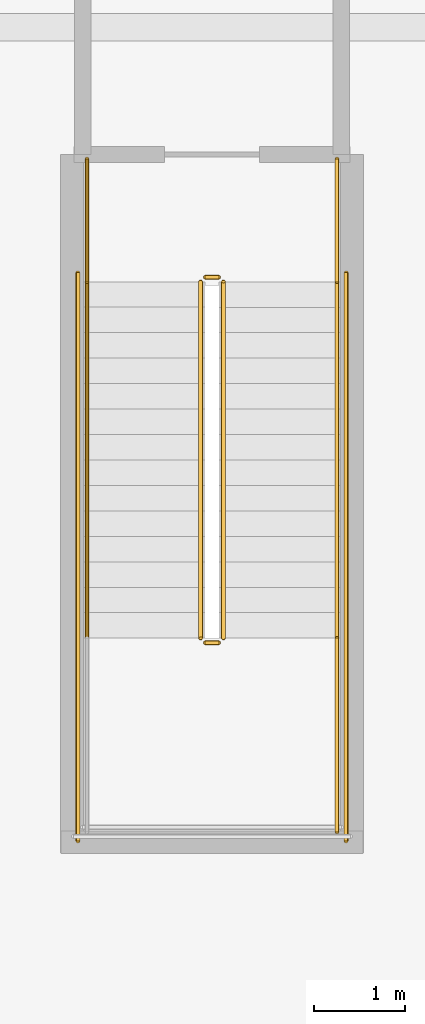
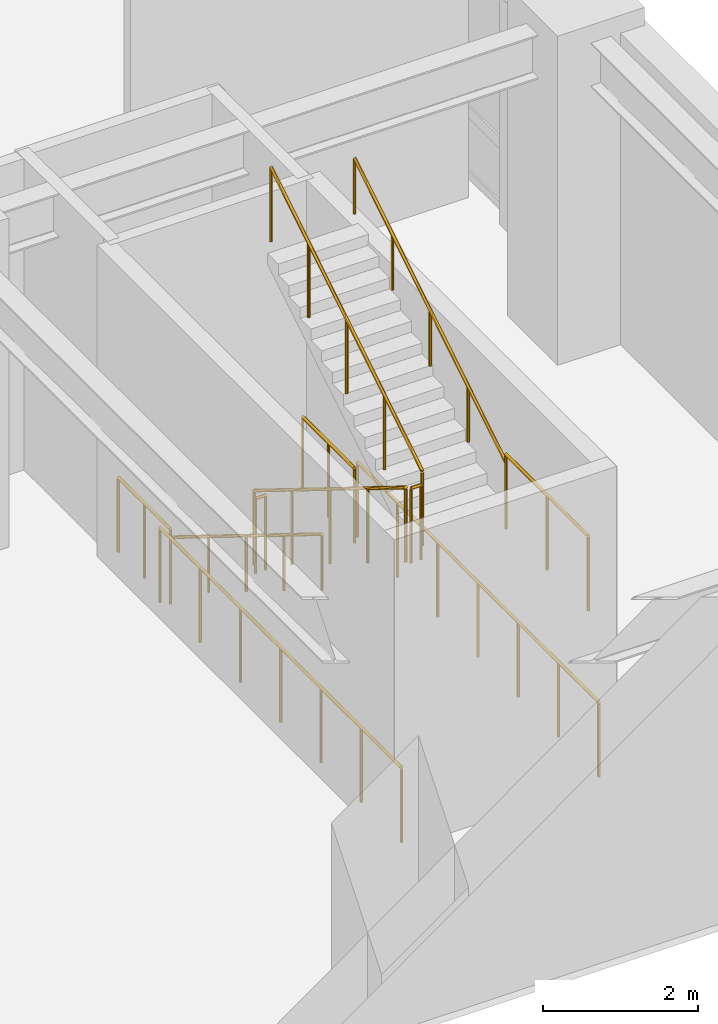
# One storey, part 27 of 27: 11 railings.
"""IFC4 building model written with IfcOpenShell, lengths in metres."""

from ifc_helpers import new_model, si_unit, direction, frame, origin, origin_2d, place, context, subcontext, project, spatial, circle, extrude, material, type_object, element, save


model = new_model("IFC4")

# Units and contexts
model_context = context("Model", 3, precision=1e-05, world=origin(), true_north=direction((0.0, 1.0)))
body_context = subcontext(model_context, "Body", "Model", "MODEL_VIEW")
ifc_project = project(units=[si_unit("LENGTHUNIT", "METRE"), si_unit("AREAUNIT", "SQUARE_METRE"), si_unit("VOLUMEUNIT", "CUBIC_METRE"), si_unit("PLANEANGLEUNIT", "RADIAN"), si_unit("MASSUNIT", "GRAM", prefix="KILO")], contexts=[model_context])

# Site, building, storey
site_placement = place(None, origin())
site = spatial("IfcSite", under=ifc_project, at=site_placement, CompositionType="ELEMENT")
building_placement = place(site_placement, origin())
building = spatial("IfcBuilding", under=site, at=building_placement, Name="Voryun Gate Residences", CompositionType="ELEMENT")
storey_placement = place(building_placement, frame((0.0, 0.0, 5.199951171875)))
storey = spatial("IfcBuildingStorey", under=building, at=storey_placement, Name="L01", CompositionType="ELEMENT", Elevation=5.199951171875)

# Railings
ifc_material_1 = material(Name="Painted steel", Category="steel")
railing_type_1 = type_object("IfcRailingType", Name="RAIL_STAIR_GUARD_1200", PredefinedType="GUARDRAIL", material=ifc_material_1)
railing_1_placement = place(storey_placement, frame((28.675048828125, -14.199951171875, 0.17333984375)))
element("IfcRailing", 1, at=railing_1_placement, inside=storey, type_object=railing_type_1, Name="L01 ST-P2 stair guard 1", PredefinedType="GUARDRAIL", context=body_context, shape_type="SweptSolid", body=[
    extrude(circle(Radius=0.02392578125, at=origin_2d()), frame((0.0, 0.0, 1.17578125), z_axis=(0.0, -0.850266275192, 0.526352791643), x_axis=(1.0, 0.0, 0.0)), (0.0, 0.0, 1.0), 4.610595703125),
    extrude(circle(Radius=0.02099609375, at=origin_2d()), origin(), (0.0, 0.0, 1.0), 1.15185546875),
    extrude(circle(Radius=0.02099609375, at=origin_2d()), frame((0.0, -0.97998046875, 0.606689453125)), (0.0, 0.0, 1.0), 1.15185546875),
    extrude(circle(Radius=0.02099609375, at=origin_2d()), frame((0.0, -1.9599609375, 1.21337890625)), (0.0, 0.0, 1.0), 1.15185546875),
    extrude(circle(Radius=0.02099609375, at=origin_2d()), frame((0.0, -2.940185546875, 1.820068359375)), (0.0, 0.0, 1.0), 1.15185546875),
    extrude(circle(Radius=0.02099609375, at=origin_2d()), frame((0.0, -3.920166015625, 2.4267578125)), (0.0, 0.0, 1.0), 1.15185546875),
])
railing_2_placement = place(storey_placement, frame((28.72509765625, -18.169921875, 2.60009765625)))
element("IfcRailing", 2, at=railing_2_placement, inside=storey, type_object=railing_type_1, Name="L01 ST-P2 stair guard 2", PredefinedType="GUARDRAIL", context=body_context, shape_type="SweptSolid", body=[
    extrude(circle(Radius=0.02392578125, at=origin_2d()), frame((0.0, 0.0, 1.17578125), z_axis=(1.0, 0.0, 0.0), x_axis=(0.0, 1.0, 0.0)), (0.0, 0.0, 1.0), 0.14990234375),
    extrude(circle(Radius=0.02099609375, at=origin_2d()), origin(), (0.0, 0.0, 1.0), 1.15185546875),
    extrude(circle(Radius=0.02099609375, at=origin_2d()), frame((0.14990234375, 0.0, 0.0)), (0.0, 0.0, 1.0), 1.15185546875),
])
railing_3_placement = place(storey_placement, frame((30.175048828125, -18.1201171875, 2.60009765625)))
element("IfcRailing", 3, at=railing_3_placement, inside=storey, type_object=railing_type_1, Name="L01 ST-P2 stair guard 4", PredefinedType="GUARDRAIL", context=body_context, shape_type="SweptSolid", body=[
    extrude(circle(Radius=0.02392578125, at=origin_2d()), frame((0.0, 0.0, 1.17578125), z_axis=(0.0, -1.0, 0.0), x_axis=(1.0, 0.0, 0.0)), (0.0, 0.0, 1.0), 2.1298828125),
    extrude(circle(Radius=0.02099609375, at=origin_2d()), origin(), (0.0, 0.0, 1.0), 1.15185546875),
    extrude(circle(Radius=0.02099609375, at=origin_2d()), frame((0.0, -1.06494140625, 0.0)), (0.0, 0.0, 1.0), 1.15185546875),
    extrude(circle(Radius=0.02099609375, at=origin_2d()), frame((0.0, -2.1298828125, 0.0)), (0.0, 0.0, 1.0), 1.15185546875),
])
railing_4_placement = place(storey_placement, frame((28.925048828125, -18.1201171875, 2.7734375)))
element("IfcRailing", 4, at=railing_4_placement, inside=storey, type_object=railing_type_1, Name="L01 ST-P2 stair guard 6", PredefinedType="GUARDRAIL", context=body_context, shape_type="SweptSolid", body=[
    extrude(circle(Radius=0.02392578125, at=origin_2d()), frame((0.0, 0.0, 1.17578125), z_axis=(0.0, 0.850289973577, 0.526314507528), x_axis=(-1.0, 0.0, 0.0)), (0.0, 0.0, 1.0), 4.6103515625),
    extrude(circle(Radius=0.02099609375, at=origin_2d()), origin(), (0.0, 0.0, 1.0), 1.15185546875),
    extrude(circle(Radius=0.02099609375, at=origin_2d()), frame((0.0, 0.97998046875, 0.606689453125)), (0.0, 0.0, 1.0), 1.15185546875),
    extrude(circle(Radius=0.02099609375, at=origin_2d()), frame((0.0, 1.9599609375, 1.21337890625)), (0.0, 0.0, 1.0), 1.15185546875),
    extrude(circle(Radius=0.02099609375, at=origin_2d()), frame((0.0, 2.940185546875, 1.81982421875)), (0.0, 0.0, 1.0), 1.15185546875),
    extrude(circle(Radius=0.02099609375, at=origin_2d()), frame((0.0, 3.920166015625, 2.426513671875)), (0.0, 0.0, 1.0), 1.15185546875),
])
railing_5_placement = place(storey_placement, frame((28.72509765625, -14.14990234375, 0.0)))
element("IfcRailing", 5, at=railing_5_placement, inside=storey, type_object=railing_type_1, Name="L01 ST-P2 stair guard 7", PredefinedType="GUARDRAIL", context=body_context, shape_type="SweptSolid", body=[
    extrude(circle(Radius=0.02392578125, at=origin_2d()), frame((0.0, 0.0, 1.17578125), z_axis=(1.0, 0.0, 0.0), x_axis=(0.0, 1.0, 0.0)), (0.0, 0.0, 1.0), 0.14990234375),
    extrude(circle(Radius=0.02099609375, at=origin_2d()), origin(), (0.0, 0.0, 1.0), 1.15185546875),
    extrude(circle(Radius=0.02099609375, at=origin_2d()), frame((0.14990234375, 0.0, 0.0)), (0.0, 0.0, 1.0), 1.15185546875),
])
for number, where, name in (
    (6, (27.425048828125, -12.85009765625, 0.0), "L01 ST-P2 stair guard 8"),
    (7, (30.175048828125, -12.85009765625, 0.0), "L01 ST-P2 stair guard 9"),
):
    element("IfcRailing", number, at=place(storey_placement, frame(where)), inside=storey, type_object=railing_type_1, Name=name, PredefinedType="GUARDRAIL", context=body_context, shape_type="SweptSolid", body=[
        extrude(circle(Radius=0.02392578125, at=origin_2d()), frame((0.0, 0.0, 1.17578125), z_axis=(0.0, -1.0, 0.0), x_axis=(1.0, 0.0, 0.0)), (0.0, 0.0, 1.0), 1.349853515625),
        extrude(circle(Radius=0.02099609375, at=origin_2d()), origin(), (0.0, 0.0, 1.0), 1.15185546875),
        extrude(circle(Radius=0.02099609375, at=origin_2d()), frame((0.0, -0.6748046875, 0.0)), (0.0, 0.0, 1.0), 1.15185546875),
        extrude(circle(Radius=0.02099609375, at=origin_2d()), frame((0.0, -1.349853515625, 0.0)), (0.0, 0.0, 1.0), 1.15185546875),
    ])
for number, where, name in (
    (8, (27.324951171875, -14.10009765625, 0.0), "L01 ST-P2 stair guard 10"),
    (9, (30.27490234375, -14.10009765625, 0.0), "L01 ST-P2 stair guard 11"),
):
    element("IfcRailing", number, at=place(storey_placement, frame(where)), inside=storey, type_object=railing_type_1, Name=name, PredefinedType="GUARDRAIL", context=body_context, shape_type="SweptSolid", body=[
        extrude(circle(Radius=0.02392578125, at=origin_2d()), frame((0.0, 0.0, 1.17578125), z_axis=(0.0, -1.0, 0.0), x_axis=(1.0, 0.0, 0.0)), (0.0, 0.0, 1.0), 6.25),
        extrude(circle(Radius=0.02099609375, at=origin_2d()), origin(), (0.0, 0.0, 1.0), 1.15185546875),
        extrude(circle(Radius=0.02099609375, at=origin_2d()), frame((0.0, -1.041748046875, 0.0)), (0.0, 0.0, 1.0), 1.15185546875),
        extrude(circle(Radius=0.02099609375, at=origin_2d()), frame((0.0, -2.083251953125, 0.0)), (0.0, 0.0, 1.0), 1.15185546875),
        extrude(circle(Radius=0.02099609375, at=origin_2d()), frame((0.0, -3.125, 0.0)), (0.0, 0.0, 1.0), 1.15185546875),
        extrude(circle(Radius=0.02099609375, at=origin_2d()), frame((0.0, -4.166748046875, 0.0)), (0.0, 0.0, 1.0), 1.15185546875),
        extrude(circle(Radius=0.02099609375, at=origin_2d()), frame((0.0, -5.208251953125, 0.0)), (0.0, 0.0, 1.0), 1.15185546875),
        extrude(circle(Radius=0.02099609375, at=origin_2d()), frame((0.0, -6.25, 0.0)), (0.0, 0.0, 1.0), 1.15185546875),
    ])
ifc_material_2 = material(Name="Painted steel", Category="steel")
railing_type_2 = type_object("IfcRailingType", Name="RAIL_STAIR_HANDRAIL_900", PredefinedType="HANDRAIL", material=ifc_material_2)
railing_6_placement = place(storey_placement, frame((27.425048828125, -14.199951171875, 0.17333984375)))
element("IfcRailing", 10, at=railing_6_placement, inside=storey, type_object=railing_type_2, Name="L01 ST-P2 stair handrail 1", PredefinedType="HANDRAIL", context=body_context, shape_type="SweptSolid", body=[
    extrude(circle(Radius=0.02392578125, at=origin_2d()), frame((0.0, 0.0, 0.8759765625), z_axis=(0.0, -0.850266275192, 0.526352791643), x_axis=(1.0, 0.0, 0.0)), (0.0, 0.0, 1.0), 4.610595703125),
    extrude(circle(Radius=0.02099609375, at=origin_2d()), origin(), (0.0, 0.0, 1.0), 0.851806640625),
    extrude(circle(Radius=0.02099609375, at=origin_2d()), frame((0.0, -0.97998046875, 0.606689453125)), (0.0, 0.0, 1.0), 0.851806640625),
    extrude(circle(Radius=0.02099609375, at=origin_2d()), frame((0.0, -1.9599609375, 1.21337890625)), (0.0, 0.0, 1.0), 0.851806640625),
    extrude(circle(Radius=0.02099609375, at=origin_2d()), frame((0.0, -2.940185546875, 1.820068359375)), (0.0, 0.0, 1.0), 0.851806640625),
    extrude(circle(Radius=0.02099609375, at=origin_2d()), frame((0.0, -3.920166015625, 2.4267578125)), (0.0, 0.0, 1.0), 0.851806640625),
])
railing_7_placement = place(storey_placement, frame((30.175048828125, -18.1201171875, 2.7734375)))
element("IfcRailing", 11, at=railing_7_placement, inside=storey, type_object=railing_type_2, Name="L01 ST-P2 stair handrail 2", PredefinedType="HANDRAIL", context=body_context, shape_type="SweptSolid", body=[
    extrude(circle(Radius=0.02392578125, at=origin_2d()), frame((0.0, 0.0, 0.8759765625), z_axis=(0.0, 0.850289973577, 0.526314507528), x_axis=(-1.0, 0.0, 0.0)), (0.0, 0.0, 1.0), 4.6103515625),
    extrude(circle(Radius=0.02099609375, at=origin_2d()), origin(), (0.0, 0.0, 1.0), 0.851806640625),
    extrude(circle(Radius=0.02099609375, at=origin_2d()), frame((0.0, 0.97998046875, 0.606689453125)), (0.0, 0.0, 1.0), 0.851806640625),
    extrude(circle(Radius=0.02099609375, at=origin_2d()), frame((0.0, 1.9599609375, 1.21337890625)), (0.0, 0.0, 1.0), 0.851806640625),
    extrude(circle(Radius=0.02099609375, at=origin_2d()), frame((0.0, 2.940185546875, 1.81982421875)), (0.0, 0.0, 1.0), 0.851806640625),
    extrude(circle(Radius=0.02099609375, at=origin_2d()), frame((0.0, 3.920166015625, 2.426513671875)), (0.0, 0.0, 1.0), 0.851806640625),
])

save(model, "model.ifc")
